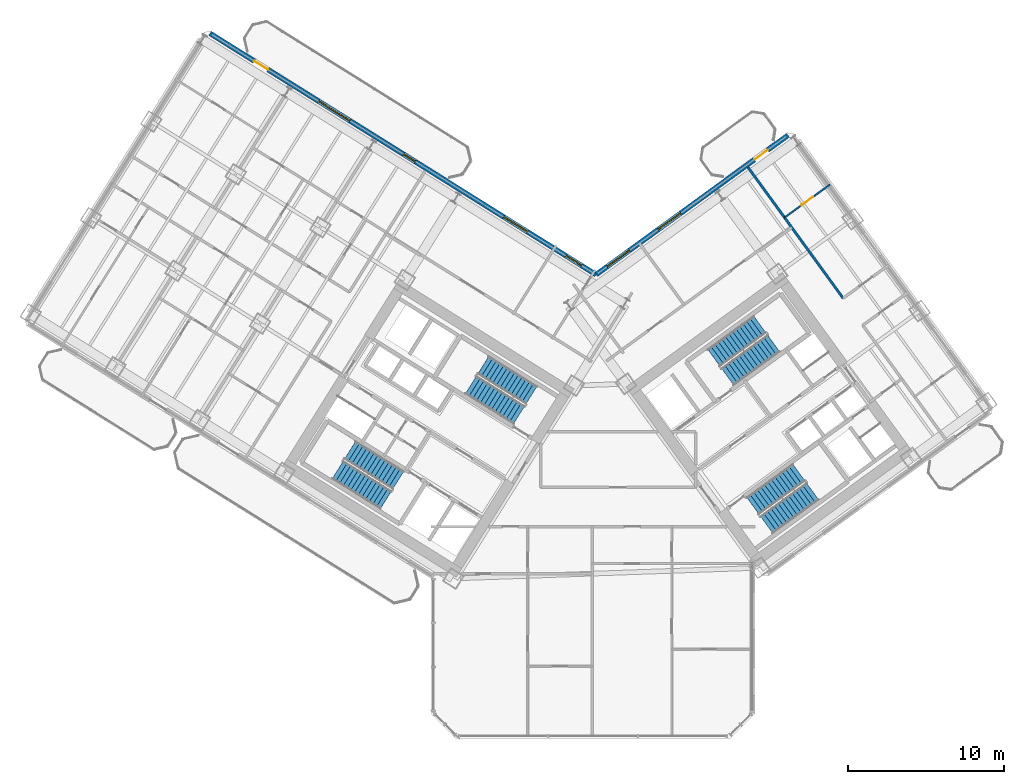
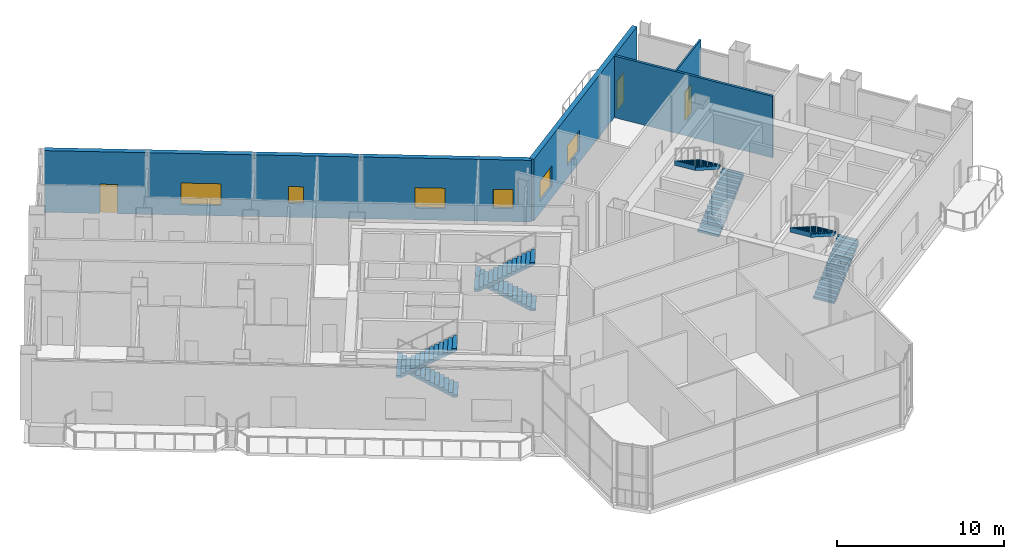
# One storey, part 17 of 22: 8 stair flights, 6 windows, 4 walls, 3 doors, 9 openings, 4 elements without a shape of their own.
"""IFC4 building model written with IfcOpenShell, lengths in metres."""

from ifc_helpers import new_model, si_unit, direction, frame, frame_2d, origin, place, context, subcontext, project, spatial, polyline, rectangle, outline, extrude, source, transform, mapped, material, layer, layer_set, type_object, element, fill, aggregate, save


model = new_model("IFC4")

# Units and contexts
model_context = context("Model", 3, precision=1e-05, world=origin(), true_north=direction((0.0, 1.0)))
body_context = subcontext(model_context, "Body", "Model", "MODEL_VIEW")
ifc_project = project(units=[si_unit("LENGTHUNIT", "METRE"), si_unit("AREAUNIT", "SQUARE_METRE"), si_unit("VOLUMEUNIT", "CUBIC_METRE"), si_unit("PLANEANGLEUNIT", "RADIAN"), si_unit("MASSUNIT", "GRAM", prefix="KILO")], contexts=[model_context])

# Site, building, storey
site_placement = place(None, origin())
site = spatial("IfcSite", under=ifc_project, at=site_placement, CompositionType="ELEMENT")
building_placement = place(site_placement, origin())
building = spatial("IfcBuilding", under=site, at=building_placement, Name="Tlacorven Tower", CompositionType="ELEMENT")
storey_placement = place(building_placement, frame((0.0, 0.0, 71.699951171875)))
storey = spatial("IfcBuildingStorey", under=building, at=storey_placement, Name="L18", CompositionType="ELEMENT", Elevation=71.699951171875)

# Wall
ifc_material_1 = material(Name="Gypsum plasterboard acoustic partition", Category="gypsum")
ifc_layer_1 = layer(ifc_material_1, 0.159912109375)
ifc_layer_set_1 = layer_set([ifc_layer_1], Name="Gypsum plasterboard acoustic partition")
wall_type_1 = type_object("IfcWallType", Name="WL-DEM-160", PredefinedType="PARTITIONING", material=ifc_layer_set_1)
wall_1_placement = place(storey_placement, frame((58.06689453125, 30.080078125, 0.0), z_axis=(0.0, 0.0, 1.0), x_axis=(-0.587787785243, 0.809015154073, 0.0)))
element("IfcWall", 1, at=wall_1_placement, inside=storey, type_object=wall_type_1, Name="L18 partition 98", PredefinedType="PARTITIONING", context=body_context, shape_type="SweptSolid", body=[
    extrude(rectangle(XDim=10.400146484375, YDim=0.159912109375, at=frame_2d((5.2001953125, 0.0))), origin(), (0.0, 0.0, 1.0), 4.510009765625),
])

# Wall, openings, door, windows
ifc_material_2 = material(Name="Precast concrete C45/55", Category="concrete")
ifc_layer_2 = layer(ifc_material_2, 0.320068359375)
ifc_layer_set_2 = layer_set([ifc_layer_2], Name="Precast concrete C45/55")
wall_type_2 = type_object("IfcWallType", Name="WL-EXT-320", PredefinedType="STANDARD", material=ifc_layer_set_2)
wall_2_placement = place(storey_placement, frame((17.423828125, 47.083251953125, 0.0), z_axis=(0.0, 0.0, 1.0), x_axis=(0.848049927979, -0.529916332693, 0.0)))
wall_2 = element("IfcWall", 2, at=wall_2_placement, inside=storey, type_object=wall_type_2, Name="L18 Masonry-Frame Recessed Facade Wall 3", PredefinedType="STANDARD", context=body_context, shape_type="SweptSolid", body=[
    extrude(rectangle(XDim=29.22314453125, YDim=0.320068359375, at=frame_2d((14.611572265625, 0.0))), origin(), (0.0, 0.0, 1.0), 4.52001953125),
])
opening_1_placement = place(wall_2_placement, frame((3.338623046875, 0.0, 0.0)))
opening_1 = element("IfcOpeningElement", 3, at=opening_1_placement, cuts=wall_2, Name="Opening D06", PredefinedType="OPENING", context=body_context, shape_type="SweptSolid", body=[
    extrude(rectangle(XDim=1.050048828125, YDim=2.14990234375, at=frame_2d((0.52490234375, 1.074951171875))), frame((0.0, 0.169921875, 0.0), z_axis=(0.0, -1.0, 0.0), x_axis=(1.0, 0.0, 0.0)), (0.0, 0.0, 1.0), 0.340087890625),
])
opening_2_placement = place(wall_2_placement, frame((8.193603515625, 0.0, 0.75)))
opening_2 = element("IfcOpeningElement", 4, at=opening_2_placement, cuts=wall_2, Name="Opening WN06", PredefinedType="OPENING", context=body_context, shape_type="SweptSolid", body=[
    extrude(rectangle(XDim=2.39990234375, YDim=1.60009765625, at=frame_2d((1.199951171875, 0.800048828125))), frame((0.0, 0.169921875, 0.0), z_axis=(0.0, -1.0, 0.0), x_axis=(1.0, 0.0, 0.0)), (0.0, 0.0, 1.0), 0.340087890625),
])
opening_3_placement = place(wall_2_placement, frame((22.226318359375, 0.0, 0.85009765625)))
opening_3 = element("IfcOpeningElement", 5, at=opening_3_placement, cuts=wall_2, Name="Opening WN01", PredefinedType="OPENING", context=body_context, shape_type="SweptSolid", body=[
    extrude(rectangle(XDim=1.800048828125, YDim=1.5, at=frame_2d((0.89990234375, 0.75))), frame((0.0, 0.169921875, 0.0), z_axis=(0.0, -1.0, 0.0), x_axis=(1.0, 0.0, 0.0)), (0.0, 0.0, 1.0), 0.340087890625),
])
opening_4_placement = place(wall_2_placement, frame((26.93359375, 0.0, 0.949951171875)))
opening_4 = element("IfcOpeningElement", 6, at=opening_4_placement, cuts=wall_2, Name="Opening WN03", PredefinedType="OPENING", context=body_context, shape_type="SweptSolid", body=[
    extrude(rectangle(XDim=1.199951171875, YDim=1.39990234375, at=frame_2d((0.60009765625, 0.699951171875))), frame((0.0, 0.169921875, 0.0), z_axis=(0.0, -1.0, 0.0), x_axis=(1.0, 0.0, 0.0)), (0.0, 0.0, 1.0), 0.340087890625),
])
opening_5_placement = place(wall_2_placement, frame((14.63623046875, 0.0, 1.0)))
opening_5 = element("IfcOpeningElement", 7, at=opening_5_placement, cuts=wall_2, Name="Opening WN05", PredefinedType="OPENING", context=body_context, shape_type="SweptSolid", body=[
    extrude(rectangle(XDim=0.89990234375, YDim=1.25, at=frame_2d((0.449951171875, 0.625))), frame((0.0, 0.169921875, 0.0), z_axis=(0.0, -1.0, 0.0), x_axis=(1.0, 0.0, 0.0)), (0.0, 0.0, 1.0), 0.340087890625),
])
ifc_material_3 = material(Name="Powder-coated aluminium and timber door", Category="wood")
door_type_1 = type_object("IfcDoorType", Name="DR-EXT-BALC-1050", OperationType="NOTDEFINED", PredefinedType="DOOR", material=ifc_material_3)
shared_shape_1 = source(origin(), body_context, "Body", "SweptSolid", [
    extrude(rectangle(XDim=1.050048828125, YDim=2.14990234375, at=frame_2d((0.52490234375, 1.074951171875))), frame((0.0, 0.02490234375, 0.0), z_axis=(0.0, -1.0, 0.0), x_axis=(1.0, 0.0, 0.0)), (0.0, 0.0, 1.0), 0.050048828125),
])
door_1_placement = place(opening_1_placement, origin())
door_1 = element("IfcDoor", 8, at=door_1_placement, inside=storey, type_object=door_type_1, Name="L18 Outdoor Access Door BAL-L18-W-IN", OperationType="SINGLE_SWING_RIGHT", OverallHeight=2.14990234375, OverallWidth=1.050048828125, PredefinedType="DOOR", context=body_context, shape_type="MappedRepresentation", body=[
    mapped(shared_shape_1, transform((0.0, 0.0, 0.0), scale=1.0)),
])
fill(opening_1, door_1)
ifc_material_4 = material(Name="Dark solar low-E double glazing in anodised aluminium frame", Category="aluminium")
window_type_1 = type_object("IfcWindowType", Name="WN-APT-1200X1500", PartitioningType="SINGLE_PANEL", PredefinedType="WINDOW", material=ifc_material_4)
shared_shape_2 = source(origin(), body_context, "Body", "SweptSolid", [
    extrude(rectangle(XDim=1.199951171875, YDim=1.39990234375, at=frame_2d((0.60009765625, 0.699951171875))), frame((0.0, 0.030029296875, 0.0), z_axis=(0.0, -1.0, 0.0), x_axis=(1.0, 0.0, 0.0)), (0.0, 0.0, 1.0), 0.06005859375),
])
window_1_placement = place(opening_4_placement, origin())
window_1 = element("IfcWindow", 9, at=window_1_placement, inside=storey, type_object=window_type_1, Name="L18 Recessed Masonry-Frame Window L18-03.3", OverallHeight=1.39990234375, OverallWidth=1.199951171875, PartitioningType="SINGLE_PANEL", PredefinedType="WINDOW", context=body_context, shape_type="MappedRepresentation", body=[
    mapped(shared_shape_2, transform((0.0, 0.0, 0.0), scale=1.0)),
])
fill(opening_4, window_1)
window_type_2 = type_object("IfcWindowType", Name="WN-APT-1800X1650", PartitioningType="SINGLE_PANEL", PredefinedType="WINDOW", material=ifc_material_4)
shared_shape_3 = source(origin(), body_context, "Body", "SweptSolid", [
    extrude(rectangle(XDim=1.800048828125, YDim=1.5, at=frame_2d((0.89990234375, 0.75))), frame((0.0, 0.030029296875, 0.0), z_axis=(0.0, -1.0, 0.0), x_axis=(1.0, 0.0, 0.0)), (0.0, 0.0, 1.0), 0.06005859375),
])
window_2_placement = place(opening_3_placement, origin())
window_2 = element("IfcWindow", 10, at=window_2_placement, inside=storey, type_object=window_type_2, Name="L18 Recessed Masonry-Frame Window L18-03.2", OverallHeight=1.5, OverallWidth=1.800048828125, PartitioningType="SINGLE_PANEL", PredefinedType="WINDOW", context=body_context, shape_type="MappedRepresentation", body=[
    mapped(shared_shape_3, transform((0.0, 0.0, 0.0), scale=1.0)),
])
fill(opening_3, window_2)
window_type_3 = type_object("IfcWindowType", Name="WN-APT-0900X1350", PartitioningType="SINGLE_PANEL", PredefinedType="WINDOW", material=ifc_material_4)
shared_shape_4 = source(origin(), body_context, "Body", "SweptSolid", [
    extrude(rectangle(XDim=0.89990234375, YDim=1.25, at=frame_2d((0.449951171875, 0.625))), frame((0.0, 0.030029296875, 0.0), z_axis=(0.0, -1.0, 0.0), x_axis=(1.0, 0.0, 0.0)), (0.0, 0.0, 1.0), 0.06005859375),
])
window_3_placement = place(opening_5_placement, origin())
window_3 = element("IfcWindow", 11, at=window_3_placement, inside=storey, type_object=window_type_3, Name="L18 Dwelling Daylight Window L18-U03-STU", OverallHeight=1.25, OverallWidth=0.89990234375, PartitioningType="SINGLE_PANEL", PredefinedType="WINDOW", context=body_context, shape_type="MappedRepresentation", body=[
    mapped(shared_shape_4, transform((0.0, 0.0, 0.0), scale=1.0)),
])
fill(opening_5, window_3)
window_type_4 = type_object("IfcWindowType", Name="WN-APT-2400X1800", PartitioningType="SINGLE_PANEL", PredefinedType="WINDOW", material=ifc_material_4)
shared_shape_5 = source(origin(), body_context, "Body", "SweptSolid", [
    extrude(rectangle(XDim=2.39990234375, YDim=1.60009765625, at=frame_2d((1.199951171875, 0.800048828125))), frame((0.0, 0.030029296875, 0.0), z_axis=(0.0, -1.0, 0.0), x_axis=(1.0, 0.0, 0.0)), (0.0, 0.0, 1.0), 0.06005859375),
])
window_4_placement = place(opening_2_placement, origin())
window_4 = element("IfcWindow", 12, at=window_4_placement, inside=storey, type_object=window_type_4, Name="L18 Recessed Masonry-Frame Window L18-03.1", OverallHeight=1.60009765625, OverallWidth=2.39990234375, PartitioningType="SINGLE_PANEL", PredefinedType="WINDOW", context=body_context, shape_type="MappedRepresentation", body=[
    mapped(shared_shape_5, transform((0.0, 0.0, 0.0), scale=1.0)),
])
fill(opening_2, window_4)

wall_3_placement = place(storey_placement, frame((42.20654296875, 31.597412109375, 0.0), z_axis=(0.0, 0.0, 1.0), x_axis=(0.809020333377, 0.587780656523, 0.0)))
wall_3 = element("IfcWall", 13, at=wall_3_placement, inside=storey, type_object=wall_type_2, Name="L18 Masonry-Frame Recessed Facade Wall 4", PredefinedType="STANDARD", context=body_context, shape_type="SweptSolid", body=[
    extrude(rectangle(XDim=15.222900390625, YDim=0.320068359375, at=frame_2d((7.611328125, 0.0))), origin(), (0.0, 0.0, 1.0), 4.52001953125),
])
opening_6_placement = place(wall_3_placement, frame((12.56201171875, 0.0, 0.0)))
opening_6 = element("IfcOpeningElement", 14, at=opening_6_placement, cuts=wall_3, Name="Opening D06", PredefinedType="OPENING", context=body_context, shape_type="SweptSolid", body=[
    extrude(rectangle(XDim=1.050048828125, YDim=2.14990234375, at=frame_2d((0.52490234375, 1.074951171875))), frame((0.0, 0.169921875, 0.0), z_axis=(0.0, -1.0, 0.0), x_axis=(1.0, 0.0, 0.0)), (0.0, 0.0, 1.0), 0.340087890625),
])
opening_7_placement = place(wall_3_placement, frame((0.867919921875, 0.0, 0.85009765625)))
opening_7 = element("IfcOpeningElement", 15, at=opening_7_placement, cuts=wall_3, Name="Opening WN01", PredefinedType="OPENING", context=body_context, shape_type="SweptSolid", body=[
    extrude(rectangle(XDim=1.800048828125, YDim=1.5, at=frame_2d((0.89990234375, 0.75))), frame((0.0, 0.169921875, 0.0), z_axis=(0.0, -1.0, 0.0), x_axis=(1.0, 0.0, 0.0)), (0.0, 0.0, 1.0), 0.340087890625),
])
opening_8_placement = place(wall_3_placement, frame((4.931884765625, 0.0, 0.85009765625)))
opening_8 = element("IfcOpeningElement", 16, at=opening_8_placement, cuts=wall_3, Name="Opening WN01", PredefinedType="OPENING", context=body_context, shape_type="SweptSolid", body=[
    extrude(rectangle(XDim=1.800048828125, YDim=1.5, at=frame_2d((0.89990234375, 0.75))), frame((0.0, 0.169921875, 0.0), z_axis=(0.0, -1.0, 0.0), x_axis=(1.0, 0.0, 0.0)), (0.0, 0.0, 1.0), 0.340087890625),
])
door_2_placement = place(opening_6_placement, origin())
door_2 = element("IfcDoor", 17, at=door_2_placement, inside=storey, type_object=door_type_1, Name="L18 Outdoor Access Door BAL-L18-E-IN", OperationType="SINGLE_SWING_RIGHT", OverallHeight=2.14990234375, OverallWidth=1.050048828125, PredefinedType="DOOR", context=body_context, shape_type="MappedRepresentation", body=[
    mapped(shared_shape_1, transform((0.0, 0.0, 0.0), scale=1.0)),
])
fill(opening_6, door_2)
window_5_placement = place(opening_7_placement, origin())
window_5 = element("IfcWindow", 18, at=window_5_placement, inside=storey, type_object=window_type_2, Name="L18 Recessed Masonry-Frame Window L18-04.1", OverallHeight=1.5, OverallWidth=1.800048828125, PartitioningType="SINGLE_PANEL", PredefinedType="WINDOW", context=body_context, shape_type="MappedRepresentation", body=[
    mapped(shared_shape_3, transform((0.0, 0.0, 0.0), scale=1.0)),
])
fill(opening_7, window_5)
window_6_placement = place(opening_8_placement, origin())
window_6 = element("IfcWindow", 19, at=window_6_placement, inside=storey, type_object=window_type_2, Name="L18 Recessed Masonry-Frame Window L18-04.2", OverallHeight=1.5, OverallWidth=1.800048828125, PartitioningType="SINGLE_PANEL", PredefinedType="WINDOW", context=body_context, shape_type="MappedRepresentation", body=[
    mapped(shared_shape_3, transform((0.0, 0.0, 0.0), scale=1.0)),
])
fill(opening_8, window_6)

# Wall, opening, door
ifc_material_5 = material(Name="Gypsum plasterboard partition", Category="gypsum")
ifc_layer_3 = layer(ifc_material_5, 0.110107421875)
ifc_layer_set_3 = layer_set([ifc_layer_3], Name="Gypsum plasterboard partition")
wall_type_3 = type_object("IfcWallType", Name="WL-INT-110", PredefinedType="PARTITIONING", material=ifc_layer_set_3)
wall_4_placement = place(storey_placement, frame((54.3037109375, 35.25927734375, 0.0), z_axis=(0.0, 0.0, 1.0), x_axis=(0.809005039917, 0.58780170584, 0.0)))
wall_4 = element("IfcWall", 20, at=wall_4_placement, inside=storey, type_object=wall_type_3, Name="L18 partition 102", PredefinedType="PARTITIONING", context=body_context, shape_type="SweptSolid", body=[
    extrude(rectangle(XDim=3.610107421875, YDim=0.110107421875, at=frame_2d((1.80517578125, 0.0))), origin(), (0.0, 0.0, 1.0), 4.510009765625),
])
opening_9_placement = place(wall_4_placement, frame((1.344970703125, 0.0, 0.0)))
opening_9 = element("IfcOpeningElement", 21, at=opening_9_placement, cuts=wall_4, Name="Opening D12", PredefinedType="OPENING", context=body_context, shape_type="SweptSolid", body=[
    extrude(rectangle(XDim=0.919921875, YDim=2.080078125, at=frame_2d((0.4599609375, 1.0400390625))), frame((0.0, 0.06494140625, 0.0), z_axis=(0.0, -1.0, 0.0), x_axis=(1.0, 0.0, 0.0)), (0.0, 0.0, 1.0), 0.130126953125),
])
door_type_2 = type_object("IfcDoorType", Name="DR-INT-ROOM-0920", OperationType="NOTDEFINED", PredefinedType="DOOR", material=ifc_material_3)
shared_shape_6 = source(origin(), body_context, "Body", "SweptSolid", [
    extrude(rectangle(XDim=0.919921875, YDim=2.080078125, at=frame_2d((0.4599609375, 1.0400390625))), frame((0.0, 0.02490234375, 0.0), z_axis=(0.0, -1.0, 0.0), x_axis=(1.0, 0.0, 0.0)), (0.0, 0.0, 1.0), 0.050048828125),
])
door_3_placement = place(opening_9_placement, origin())
door_3 = element("IfcDoor", 22, at=door_3_placement, inside=storey, type_object=door_type_2, Name="L18 door 061", OperationType="SINGLE_SWING_RIGHT", OverallHeight=2.080078125, OverallWidth=0.919921875, PredefinedType="DOOR", context=body_context, shape_type="MappedRepresentation", body=[
    mapped(shared_shape_6, transform((0.0, 0.0, 0.0), scale=1.0)),
])
fill(opening_9, door_3)

# Stair, stair flights
ifc_material_6 = material(Name="Concrete C40/50", Category="concrete")
stair_type = type_object("IfcStairType", Name="ST-CORE-DLG", PredefinedType="HALF_TURN_STAIR", material=ifc_material_6)
stair_1_placement = place(storey_placement, origin())
stair_1 = element("IfcStair", 23, at=stair_1_placement, inside=storey, type_object=stair_type, Name="L18 Protected Exit Stair West 1", PredefinedType="HALF_TURN_STAIR")
stair_flight_type = type_object("IfcStairFlightType", Name="SFL-RC-1380", PredefinedType="STRAIGHT", material=ifc_material_6)
shared_shape_7 = source(origin(), body_context, "Body", "SweptSolid", [
    extrude(outline(polyline([(-0.0029296875, -0.0029296875), (-0.0029296875, 0.17138671875), (0.280029296875, 0.17138671875), (0.280029296875, 0.3427734375), (0.56005859375, 0.3427734375), (0.56005859375, 0.514404296875), (0.840087890625, 0.514404296875), (0.840087890625, 0.685791015625), (1.1201171875, 0.685791015625), (1.1201171875, 0.857177734375), (1.39990234375, 0.857177734375), (1.39990234375, 1.028564453125), (1.679931640625, 1.028564453125), (1.679931640625, 1.199951171875), (1.9599609375, 1.199951171875), (1.9599609375, 1.371337890625), (2.239990234375, 1.371337890625), (2.239990234375, 1.54296875), (2.52001953125, 1.54296875), (2.52001953125, 1.71435546875), (2.800048828125, 1.71435546875), (2.800048828125, 1.8857421875), (3.080078125, 1.8857421875), (3.080078125, 2.05712890625), (3.360107421875, 2.05712890625), (3.360107421875, 2.228515625), (3.639892578125, 2.228515625), (3.639892578125, 2.39990234375), (3.64306640625, 2.39990234375), (3.64306640625, 2.041015625), (3.639892578125, 2.041015625), (0.30615234375, 0.0), (0.30615234375, -0.0029296875), (-0.0029296875, -0.0029296875)])), frame((0.0, 0.68994140625, 0.0), z_axis=(0.0, -1.0, 0.0), x_axis=(1.0, 0.0, 0.0)), (0.0, 0.0, 1.0), 1.3798828125),
])
stair_flight_1_placement = place(storey_placement, frame((29.499755859375, 18.39453125, 0.0), z_axis=(0.0, 0.0, 1.0), x_axis=(-0.848048096156, 0.529919264233, 0.0)))
stair_flight_1 = element("IfcStairFlight", 24, at=stair_flight_1_placement, type_object=stair_flight_type, Name="ST-W1 flight 1", NumberOfRisers=14, NumberOfTreads=13, PredefinedType="STRAIGHT", RiserHeight=0.171428571, TreadLength=0.28, context=body_context, shape_type="MappedRepresentation", body=[
    mapped(shared_shape_7, transform((0.0, 0.0, 0.0), scale=1.0)),
])
stair_flight_2_placement = place(storey_placement, frame((25.6181640625, 19.051513671875, 2.400146484375), z_axis=(0.0, 0.0, 1.0), x_axis=(0.848048096156, -0.529919264233, 0.0)))
stair_flight_2 = element("IfcStairFlight", 25, at=stair_flight_2_placement, type_object=stair_flight_type, Name="ST-W1 flight 2", NumberOfRisers=14, NumberOfTreads=13, PredefinedType="STRAIGHT", RiserHeight=0.171428571, TreadLength=0.28, context=body_context, shape_type="MappedRepresentation", body=[
    mapped(shared_shape_7, transform((0.0, 0.0, 0.0), scale=1.0)),
])
aggregate(stair_1, [stair_flight_1, stair_flight_2])

stair_2_placement = place(storey_placement, origin())
stair_2 = element("IfcStair", 26, at=stair_2_placement, inside=storey, type_object=stair_type, Name="L18 Protected Exit Stair West 2", PredefinedType="HALF_TURN_STAIR")
stair_flight_3_placement = place(storey_placement, frame((38.051513671875, 23.852294921875, 0.0), z_axis=(0.0, 0.0, 1.0), x_axis=(-0.848048096156, 0.529919264233, 0.0)))
stair_flight_3 = element("IfcStairFlight", 27, at=stair_flight_3_placement, type_object=stair_flight_type, Name="ST-W2 flight 1", NumberOfRisers=14, NumberOfTreads=13, PredefinedType="STRAIGHT", RiserHeight=0.171428571, TreadLength=0.28, context=body_context, shape_type="MappedRepresentation", body=[
    mapped(shared_shape_7, transform((0.0, 0.0, 0.0), scale=1.0)),
])
stair_flight_4_placement = place(storey_placement, frame((34.169677734375, 24.509033203125, 2.400146484375), z_axis=(0.0, 0.0, 1.0), x_axis=(0.848048096156, -0.529919264233, 0.0)))
stair_flight_4 = element("IfcStairFlight", 28, at=stair_flight_4_placement, type_object=stair_flight_type, Name="ST-W2 flight 2", NumberOfRisers=14, NumberOfTreads=13, PredefinedType="STRAIGHT", RiserHeight=0.171428571, TreadLength=0.28, context=body_context, shape_type="MappedRepresentation", body=[
    mapped(shared_shape_7, transform((0.0, 0.0, 0.0), scale=1.0)),
])
aggregate(stair_2, [stair_flight_3, stair_flight_4])

stair_3_placement = place(storey_placement, origin())
stair_3 = element("IfcStair", 29, at=stair_3_placement, inside=storey, type_object=stair_type, Name="L18 Protected Exit Stair East 1", PredefinedType="HALF_TURN_STAIR")
stair_flight_5_placement = place(storey_placement, frame((50.6533203125, 25.0400390625, 0.0), z_axis=(0.0, 0.0, 1.0), x_axis=(0.809016994375, 0.587785252292, 0.0)))
stair_flight_5 = element("IfcStairFlight", 30, at=stair_flight_5_placement, type_object=stair_flight_type, Name="ST-E1 flight 1", NumberOfRisers=14, NumberOfTreads=13, PredefinedType="STRAIGHT", RiserHeight=0.171428571, TreadLength=0.28, context=body_context, shape_type="MappedRepresentation", body=[
    mapped(shared_shape_7, transform((0.0, 0.0, 0.0), scale=1.0)),
])
stair_flight_6_placement = place(storey_placement, frame((52.716552734375, 28.39306640625, 2.400146484375), z_axis=(0.0, 0.0, 1.0), x_axis=(-0.809016994375, -0.587785252292, 0.0)))
stair_flight_6 = element("IfcStairFlight", 31, at=stair_flight_6_placement, type_object=stair_flight_type, Name="ST-E1 flight 2", NumberOfRisers=14, NumberOfTreads=13, PredefinedType="STRAIGHT", RiserHeight=0.171428571, TreadLength=0.28, context=body_context, shape_type="MappedRepresentation", body=[
    mapped(shared_shape_7, transform((0.0, 0.0, 0.0), scale=1.0)),
])
aggregate(stair_3, [stair_flight_5, stair_flight_6])

stair_4_placement = place(storey_placement, origin())
stair_4 = element("IfcStair", 32, at=stair_4_placement, inside=storey, type_object=stair_type, Name="L18 Protected Exit Stair East 2", PredefinedType="HALF_TURN_STAIR")
stair_flight_7_placement = place(storey_placement, frame((53.157470703125, 15.536865234375, 0.0), z_axis=(0.0, 0.0, 1.0), x_axis=(0.809016994375, 0.587785252292, 0.0)))
stair_flight_7 = element("IfcStairFlight", 33, at=stair_flight_7_placement, type_object=stair_flight_type, Name="ST-E2 flight 1", NumberOfRisers=14, NumberOfTreads=13, PredefinedType="STRAIGHT", RiserHeight=0.171428571, TreadLength=0.28, context=body_context, shape_type="MappedRepresentation", body=[
    mapped(shared_shape_7, transform((0.0, 0.0, 0.0), scale=1.0)),
])
stair_flight_8_placement = place(storey_placement, frame((55.220458984375, 18.889892578125, 2.400146484375), z_axis=(0.0, 0.0, 1.0), x_axis=(-0.809016994375, -0.587785252292, 0.0)))
stair_flight_8 = element("IfcStairFlight", 34, at=stair_flight_8_placement, type_object=stair_flight_type, Name="ST-E2 flight 2", NumberOfRisers=14, NumberOfTreads=13, PredefinedType="STRAIGHT", RiserHeight=0.171428571, TreadLength=0.28, context=body_context, shape_type="MappedRepresentation", body=[
    mapped(shared_shape_7, transform((0.0, 0.0, 0.0), scale=1.0)),
])
aggregate(stair_4, [stair_flight_7, stair_flight_8])

save(model, "model.ifc")
